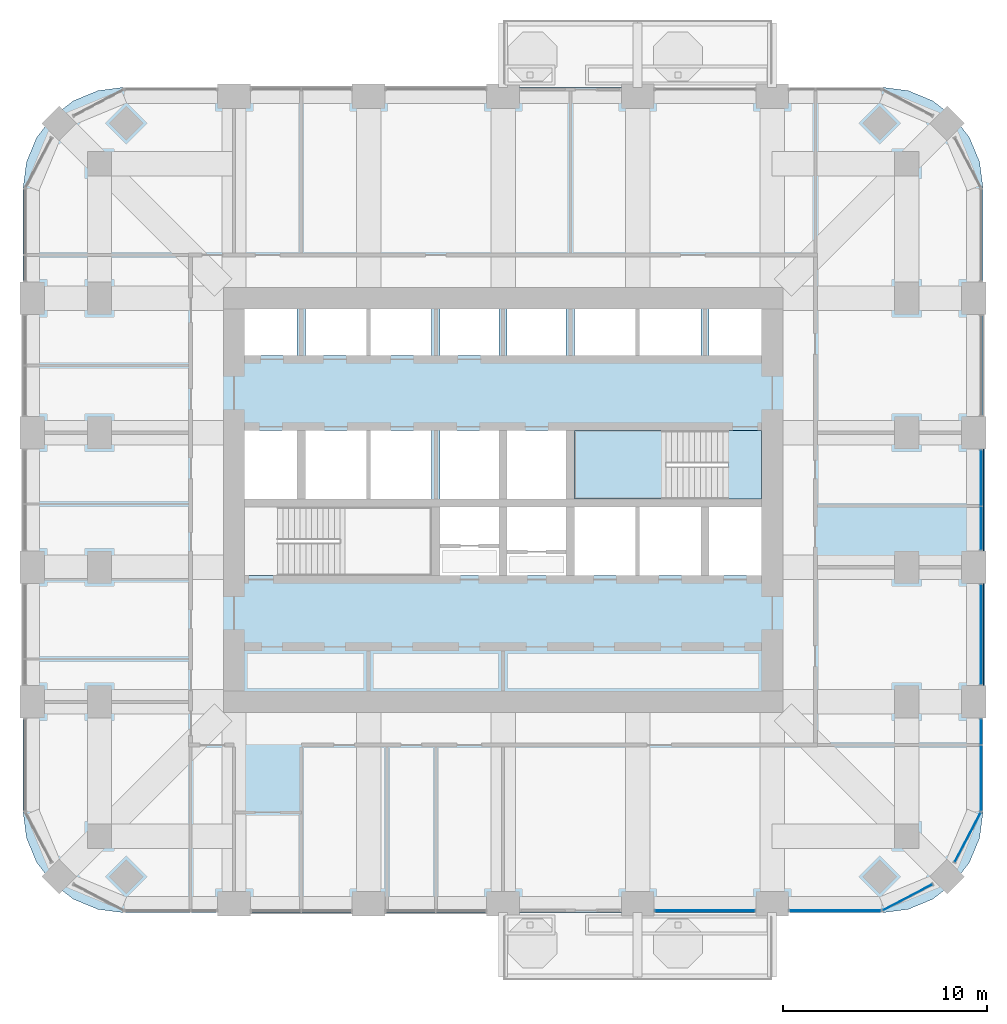
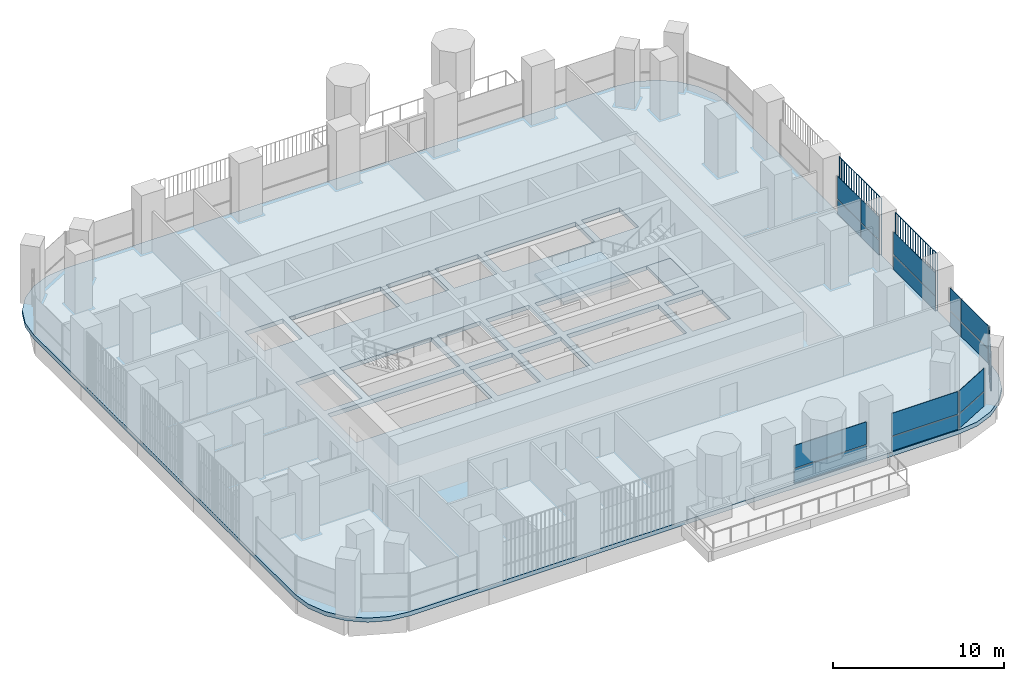
# One storey, part 10 of 19: 20 plates, 3 slabs, 8 elements without a shape of their own.
"""IFC4 building model written with IfcOpenShell, lengths in metres."""

from ifc_helpers import new_model, si_unit, direction, frame, origin, origin_2d, place, context, subcontext, project, spatial, polyline, rectangle, outline, extrude, material, layer, layer_set, type_object, element, aggregate, save


model = new_model("IFC4")

# Units and contexts
model_context = context("Model", 3, precision=1e-05, world=origin(), true_north=direction((0.0, 1.0)))
body_context = subcontext(model_context, "Body", "Model", "MODEL_VIEW")
ifc_project = project(units=[si_unit("LENGTHUNIT", "METRE"), si_unit("AREAUNIT", "SQUARE_METRE"), si_unit("VOLUMEUNIT", "CUBIC_METRE"), si_unit("PLANEANGLEUNIT", "RADIAN"), si_unit("MASSUNIT", "GRAM", prefix="KILO")], contexts=[model_context])

# Site, building, storey
site_placement = place(None, origin())
site = spatial("IfcSite", under=ifc_project, at=site_placement, CompositionType="ELEMENT")
building_placement = place(site_placement, origin())
building = spatial("IfcBuilding", under=site, at=building_placement, Name="Cobogo Forest Laboratory Tower", CompositionType="ELEMENT")
storey_placement = place(building_placement, frame((0.0, 0.0, 164.10009765625)))
storey = spatial("IfcBuildingStorey", under=building, at=storey_placement, Name="L37", CompositionType="ELEMENT", Elevation=164.10009765625)

# Slab
ifc_material_1 = material(Name="Concrete HA-40 (C40/50)", Category="concrete")
ifc_layer_1 = layer(ifc_material_1, 0.300048828125)
ifc_layer_set_1 = layer_set([ifc_layer_1], Name="Floor slab 300")
slab_type_1 = type_object("IfcSlabType", Name="Floor slab 300", PredefinedType="FLOOR", material=ifc_layer_set_1)
slab_1_placement = place(storey_placement, frame((0.0, 0.0, -0.300048828125)))
element("IfcSlab", 1, at=slab_1_placement, inside=storey, type_object=slab_type_1, Name="L37 floor slab", PredefinedType="FLOOR", context=body_context, shape_type="SweptSolid", body=[
    extrude(outline(polyline([(45.0, 2.85009765625), (46.28125, 3.0185546875), (47.47509765625, 3.51318359375), (48.500244140625, 4.2998046875), (49.286865234375, 5.324951171875), (49.78125, 6.518798828125), (49.949951171875, 7.800048828125), (49.949951171875, 38.39990234375), (49.78125, 39.68115234375), (49.286865234375, 40.875), (48.500244140625, 41.900146484375), (47.47509765625, 42.686767578125), (46.28125, 43.181396484375), (45.0, 43.35009765625), (7.800048828125, 43.35009765625), (6.518798828125, 43.181396484375), (5.324951171875, 42.686767578125), (4.2998046875, 41.900146484375), (3.51318359375, 40.875), (3.0185546875, 39.68115234375), (2.85009765625, 38.39990234375), (2.85009765625, 7.800048828125), (3.0185546875, 6.518798828125), (3.51318359375, 5.324951171875), (4.2998046875, 4.2998046875), (5.324951171875, 3.51318359375), (6.518798828125, 3.0185546875), (7.800048828125, 2.85009765625), (45.0, 2.85009765625)]), holes=[polyline([(22.89990234375, 19.39990234375), (13.72509765625, 19.39990234375), (13.72509765625, 22.75), (22.89990234375, 22.75), (22.89990234375, 19.39990234375)]), polyline([(26.199951171875, 19.39990234375), (23.300048828125, 19.39990234375), (23.300048828125, 22.75), (26.199951171875, 22.75), (26.199951171875, 19.39990234375)]), polyline([(29.5, 19.39990234375), (26.60009765625, 19.39990234375), (26.60009765625, 22.75), (29.5, 22.75), (29.5, 19.39990234375)]), polyline([(36.10009765625, 22.75), (36.10009765625, 19.39990234375), (29.89990234375, 19.39990234375), (29.89990234375, 22.75), (36.10009765625, 22.75)]), polyline([(36.5, 19.39990234375), (36.5, 22.75), (39.074951171875, 22.75), (39.074951171875, 19.39990234375), (36.5, 19.39990234375)]), polyline([(16.300048828125, 23.14990234375), (13.72509765625, 23.14990234375), (13.72509765625, 26.5), (16.300048828125, 26.5), (16.300048828125, 23.14990234375)]), polyline([(22.89990234375, 26.5), (22.89990234375, 23.14990234375), (16.699951171875, 23.14990234375), (16.699951171875, 26.5), (22.89990234375, 26.5)]), polyline([(26.199951171875, 23.14990234375), (23.300048828125, 23.14990234375), (23.300048828125, 26.5), (26.199951171875, 26.5), (26.199951171875, 23.14990234375)]), polyline([(26.60009765625, 23.14990234375), (26.60009765625, 26.5), (29.5, 26.5), (29.5, 23.14990234375), (26.60009765625, 23.14990234375)]), polyline([(39.074951171875, 23.14990234375), (29.89990234375, 23.14990234375), (29.89990234375, 26.5), (39.074951171875, 26.5), (39.074951171875, 23.14990234375)]), polyline([(16.300048828125, 30.199951171875), (13.72509765625, 30.199951171875), (13.72509765625, 32.47509765625), (16.300048828125, 32.47509765625), (16.300048828125, 30.199951171875)]), polyline([(22.89990234375, 32.47509765625), (22.89990234375, 30.199951171875), (16.699951171875, 30.199951171875), (16.699951171875, 32.47509765625), (22.89990234375, 32.47509765625)]), polyline([(23.300048828125, 30.199951171875), (23.300048828125, 32.47509765625), (26.199951171875, 32.47509765625), (26.199951171875, 30.199951171875), (23.300048828125, 30.199951171875)]), polyline([(29.5, 30.199951171875), (26.60009765625, 30.199951171875), (26.60009765625, 32.47509765625), (29.5, 32.47509765625), (29.5, 30.199951171875)]), polyline([(36.10009765625, 32.47509765625), (36.10009765625, 30.199951171875), (29.89990234375, 30.199951171875), (29.89990234375, 32.47509765625), (36.10009765625, 32.47509765625)]), polyline([(36.5, 30.199951171875), (36.5, 32.47509765625), (39.074951171875, 32.47509765625), (39.074951171875, 30.199951171875), (36.5, 30.199951171875)])]), origin(), (0.0, 0.0, 1.0), 0.300048828125),
])

# Curtain wall, plates
ifc_material_2 = material(Name="Aluminium curtain wall", Category="aluminium")
curtain_wall_type = type_object("IfcCurtainWallType", Name="CW-2 unitised curtain wall, solar control glazing, laboratory floors zones C and D", PredefinedType="USERDEFINED", material=ifc_material_2)
curtain_wall_1_placement = place(storey_placement, origin())
curtain_wall_1 = element("IfcCurtainWall", 2, at=curtain_wall_1_placement, inside=storey, type_object=curtain_wall_type, Name="Curtain wall 05 L37", ObjectType="UNITISED CURTAIN WALL", PredefinedType="USERDEFINED")
ifc_material_3 = material(Name="Solar control insulated glass", Category="glass")
ifc_layer_2 = layer(ifc_material_3, 0.031982421875)
ifc_layer_set_2 = layer_set([ifc_layer_2], Name="GP-2 solar control glass unit 32")
plate_type_1 = type_object("IfcPlateType", Name="GP-2 solar control glass unit 32", PredefinedType="CURTAIN_PANEL", material=ifc_layer_set_2)
plate_1_placement = place(storey_placement, frame((36.300048828125, 2.949951171875, 0.0), z_axis=(0.0, 0.0, 1.0), x_axis=(1.0, 0.0, 0.0)))
plate_1 = element("IfcPlate", 3, at=plate_1_placement, type_object=plate_type_1, Name="CW-2 panel 1.1", PredefinedType="CURTAIN_PANEL", context=body_context, shape_type="SweptSolid", body=[
    extrude(rectangle(XDim=4.8798828125, YDim=0.031982421875, at=origin_2d()), origin(), (0.0, 0.0, 1.0), 1.02001953125),
])
plate_2_placement = place(storey_placement, frame((36.300048828125, 2.949951171875, 1.079833984375), z_axis=(0.0, 0.0, 1.0), x_axis=(1.0, 0.0, 0.0)))
plate_2 = element("IfcPlate", 4, at=plate_2_placement, type_object=plate_type_1, Name="CW-2 panel 1.2", PredefinedType="CURTAIN_PANEL", context=body_context, shape_type="SweptSolid", body=[
    extrude(rectangle(XDim=4.8798828125, YDim=0.031982421875, at=origin_2d()), origin(), (0.0, 0.0, 1.0), 1.6201171875),
])
aggregate(curtain_wall_1, [plate_1, plate_2])

curtain_wall_2_placement = place(storey_placement, origin())
curtain_wall_2 = element("IfcCurtainWall", 5, at=curtain_wall_2_placement, inside=storey, type_object=curtain_wall_type, Name="Curtain wall 06 L37", ObjectType="UNITISED CURTAIN WALL", PredefinedType="USERDEFINED")
plate_3_placement = place(storey_placement, frame((42.699951171875, 2.949951171875, 0.0), z_axis=(0.0, 0.0, 1.0), x_axis=(1.0, 0.0, 0.0)))
plate_3 = element("IfcPlate", 6, at=plate_3_placement, type_object=plate_type_1, Name="CW-2 panel 1.1", PredefinedType="CURTAIN_PANEL", context=body_context, shape_type="SweptSolid", body=[
    extrude(rectangle(XDim=4.47998046875, YDim=0.031982421875, at=origin_2d()), origin(), (0.0, 0.0, 1.0), 1.02001953125),
])
plate_4_placement = place(storey_placement, frame((42.699951171875, 2.949951171875, 1.079833984375), z_axis=(0.0, 0.0, 1.0), x_axis=(1.0, 0.0, 0.0)))
plate_4 = element("IfcPlate", 7, at=plate_4_placement, type_object=plate_type_1, Name="CW-2 panel 1.2", PredefinedType="CURTAIN_PANEL", context=body_context, shape_type="SweptSolid", body=[
    extrude(rectangle(XDim=4.47998046875, YDim=0.031982421875, at=origin_2d()), origin(), (0.0, 0.0, 1.0), 1.6201171875),
])
aggregate(curtain_wall_2, [plate_3, plate_4])

curtain_wall_3_placement = place(storey_placement, origin())
curtain_wall_3 = element("IfcCurtainWall", 8, at=curtain_wall_3_placement, inside=storey, type_object=curtain_wall_type, Name="Curtain wall 07 L37", ObjectType="UNITISED CURTAIN WALL", PredefinedType="USERDEFINED")
plate_5_placement = place(storey_placement, frame((46.25244140625, 3.6064453125, 0.0), z_axis=(0.0, 0.0, 1.0), x_axis=(0.885686477022, 0.464283818822, 0.0)))
plate_5 = element("IfcPlate", 9, at=plate_5_placement, type_object=plate_type_1, Name="CW-2 panel 1.1", PredefinedType="CURTAIN_PANEL", context=body_context, shape_type="SweptSolid", body=[
    extrude(rectangle(XDim=2.7080078125, YDim=0.031982421875, at=origin_2d()), origin(), (0.0, 0.0, 1.0), 1.02001953125),
])
plate_6_placement = place(storey_placement, frame((46.25244140625, 3.6064453125, 1.079833984375), z_axis=(0.0, 0.0, 1.0), x_axis=(0.885686477022, 0.464283818822, 0.0)))
plate_6 = element("IfcPlate", 10, at=plate_6_placement, type_object=plate_type_1, Name="CW-2 panel 1.2", PredefinedType="CURTAIN_PANEL", context=body_context, shape_type="SweptSolid", body=[
    extrude(rectangle(XDim=2.7080078125, YDim=0.031982421875, at=origin_2d()), origin(), (0.0, 0.0, 1.0), 1.6201171875),
])
aggregate(curtain_wall_3, [plate_5, plate_6])

curtain_wall_4_placement = place(storey_placement, origin())
curtain_wall_4 = element("IfcCurtainWall", 11, at=curtain_wall_4_placement, inside=storey, type_object=curtain_wall_type, Name="Curtain wall 08 L37", ObjectType="UNITISED CURTAIN WALL", PredefinedType="USERDEFINED")
plate_7_placement = place(storey_placement, frame((49.193603515625, 6.547607421875, 0.0), z_axis=(0.0, 0.0, 1.0), x_axis=(0.464283818822, 0.885686477022, 0.0)))
plate_7 = element("IfcPlate", 12, at=plate_7_placement, type_object=plate_type_1, Name="CW-2 panel 1.1", PredefinedType="CURTAIN_PANEL", context=body_context, shape_type="SweptSolid", body=[
    extrude(rectangle(XDim=2.7080078125, YDim=0.031982421875, at=origin_2d()), origin(), (0.0, 0.0, 1.0), 1.02001953125),
])
plate_8_placement = place(storey_placement, frame((49.193603515625, 6.547607421875, 1.079833984375), z_axis=(0.0, 0.0, 1.0), x_axis=(0.464283818822, 0.885686477022, 0.0)))
plate_8 = element("IfcPlate", 13, at=plate_8_placement, type_object=plate_type_1, Name="CW-2 panel 1.2", PredefinedType="CURTAIN_PANEL", context=body_context, shape_type="SweptSolid", body=[
    extrude(rectangle(XDim=2.7080078125, YDim=0.031982421875, at=origin_2d()), origin(), (0.0, 0.0, 1.0), 1.6201171875),
])
aggregate(curtain_wall_4, [plate_7, plate_8])

curtain_wall_5_placement = place(storey_placement, origin())
curtain_wall_5 = element("IfcCurtainWall", 14, at=curtain_wall_5_placement, inside=storey, type_object=curtain_wall_type, Name="Curtain wall 09 L37", ObjectType="UNITISED CURTAIN WALL", PredefinedType="USERDEFINED")
plate_9_placement = place(storey_placement, frame((49.85009765625, 9.452392578125, 0.0), z_axis=(0.0, 0.0, 1.0), x_axis=(0.0, 1.0, 0.0)))
plate_9 = element("IfcPlate", 15, at=plate_9_placement, type_object=plate_type_1, Name="CW-2 panel 1.1", PredefinedType="CURTAIN_PANEL", context=body_context, shape_type="SweptSolid", body=[
    extrude(rectangle(XDim=3.18505859375, YDim=0.031982421875, at=origin_2d()), origin(), (0.0, 0.0, 1.0), 1.02001953125),
])
plate_10_placement = place(storey_placement, frame((49.85009765625, 9.452392578125, 1.079833984375), z_axis=(0.0, 0.0, 1.0), x_axis=(0.0, 1.0, 0.0)))
plate_10 = element("IfcPlate", 16, at=plate_10_placement, type_object=plate_type_1, Name="CW-2 panel 1.2", PredefinedType="CURTAIN_PANEL", context=body_context, shape_type="SweptSolid", body=[
    extrude(rectangle(XDim=3.18505859375, YDim=0.031982421875, at=origin_2d()), origin(), (0.0, 0.0, 1.0), 1.6201171875),
])
plate_11_placement = place(storey_placement, frame((49.85009765625, 11.722412109375, 0.0), z_axis=(0.0, 0.0, 1.0), x_axis=(0.0, 1.0, 0.0)))
plate_11 = element("IfcPlate", 17, at=plate_11_placement, type_object=plate_type_1, Name="CW-2 panel 2.1", PredefinedType="CURTAIN_PANEL", context=body_context, shape_type="SweptSolid", body=[
    extrude(rectangle(XDim=1.235107421875, YDim=0.031982421875, at=origin_2d()), origin(), (0.0, 0.0, 1.0), 1.02001953125),
])
plate_12_placement = place(storey_placement, frame((49.85009765625, 11.722412109375, 1.079833984375), z_axis=(0.0, 0.0, 1.0), x_axis=(0.0, 1.0, 0.0)))
plate_12 = element("IfcPlate", 18, at=plate_12_placement, type_object=plate_type_1, Name="CW-2 panel 2.2", PredefinedType="CURTAIN_PANEL", context=body_context, shape_type="SweptSolid", body=[
    extrude(rectangle(XDim=1.235107421875, YDim=0.031982421875, at=origin_2d()), origin(), (0.0, 0.0, 1.0), 1.6201171875),
])
aggregate(curtain_wall_5, [plate_9, plate_10, plate_11, plate_12])

curtain_wall_6_placement = place(storey_placement, origin())
curtain_wall_6 = element("IfcCurtainWall", 19, at=curtain_wall_6_placement, inside=storey, type_object=curtain_wall_type, Name="Curtain wall 10 L37", ObjectType="UNITISED CURTAIN WALL", PredefinedType="USERDEFINED")
plate_13_placement = place(storey_placement, frame((49.85009765625, 16.5, 0.0), z_axis=(0.0, 0.0, 1.0), x_axis=(0.0, 1.0, 0.0)))
plate_13 = element("IfcPlate", 20, at=plate_13_placement, type_object=plate_type_1, Name="CW-2 panel 1.1", PredefinedType="CURTAIN_PANEL", context=body_context, shape_type="SweptSolid", body=[
    extrude(rectangle(XDim=4.8798828125, YDim=0.031982421875, at=origin_2d()), origin(), (0.0, 0.0, 1.0), 1.02001953125),
])
plate_14_placement = place(storey_placement, frame((49.85009765625, 16.5, 1.079833984375), z_axis=(0.0, 0.0, 1.0), x_axis=(0.0, 1.0, 0.0)))
plate_14 = element("IfcPlate", 21, at=plate_14_placement, type_object=plate_type_1, Name="CW-2 panel 1.2", PredefinedType="CURTAIN_PANEL", context=body_context, shape_type="SweptSolid", body=[
    extrude(rectangle(XDim=4.8798828125, YDim=0.031982421875, at=origin_2d()), origin(), (0.0, 0.0, 1.0), 1.6201171875),
])
aggregate(curtain_wall_6, [plate_13, plate_14])

curtain_wall_7_placement = place(storey_placement, origin())
curtain_wall_7 = element("IfcCurtainWall", 22, at=curtain_wall_7_placement, inside=storey, type_object=curtain_wall_type, Name="Curtain wall 11 L37", ObjectType="UNITISED CURTAIN WALL", PredefinedType="USERDEFINED")
plate_15_placement = place(storey_placement, frame((49.85009765625, 21.715087890625, 0.0), z_axis=(0.0, 0.0, 1.0), x_axis=(0.0, 1.0, 0.0)))
plate_15 = element("IfcPlate", 23, at=plate_15_placement, type_object=plate_type_1, Name="CW-2 panel 1.1", PredefinedType="CURTAIN_PANEL", context=body_context, shape_type="SweptSolid", body=[
    extrude(rectangle(XDim=2.110107421875, YDim=0.031982421875, at=origin_2d()), origin(), (0.0, 0.0, 1.0), 1.02001953125),
])
plate_16_placement = place(storey_placement, frame((49.85009765625, 21.715087890625, 1.079833984375), z_axis=(0.0, 0.0, 1.0), x_axis=(0.0, 1.0, 0.0)))
plate_16 = element("IfcPlate", 24, at=plate_16_placement, type_object=plate_type_1, Name="CW-2 panel 1.2", PredefinedType="CURTAIN_PANEL", context=body_context, shape_type="SweptSolid", body=[
    extrude(rectangle(XDim=2.110107421875, YDim=0.031982421875, at=origin_2d()), origin(), (0.0, 0.0, 1.0), 1.6201171875),
])
plate_17_placement = place(storey_placement, frame((49.85009765625, 24.18505859375, 0.0), z_axis=(0.0, 0.0, 1.0), x_axis=(0.0, 1.0, 0.0)))
plate_17 = element("IfcPlate", 25, at=plate_17_placement, type_object=plate_type_1, Name="CW-2 panel 2.1", PredefinedType="CURTAIN_PANEL", context=body_context, shape_type="SweptSolid", body=[
    extrude(rectangle(XDim=2.7099609375, YDim=0.031982421875, at=origin_2d()), origin(), (0.0, 0.0, 1.0), 1.02001953125),
])
plate_18_placement = place(storey_placement, frame((49.85009765625, 24.18505859375, 1.079833984375), z_axis=(0.0, 0.0, 1.0), x_axis=(0.0, 1.0, 0.0)))
plate_18 = element("IfcPlate", 26, at=plate_18_placement, type_object=plate_type_1, Name="CW-2 panel 2.2", PredefinedType="CURTAIN_PANEL", context=body_context, shape_type="SweptSolid", body=[
    extrude(rectangle(XDim=2.7099609375, YDim=0.031982421875, at=origin_2d()), origin(), (0.0, 0.0, 1.0), 1.6201171875),
])
aggregate(curtain_wall_7, [plate_15, plate_16, plate_17, plate_18])

# Stair, slabs
ifc_material_4 = material(Name="Precast concrete HA-40 (C40/50)", Category="concrete")
stair_type = type_object("IfcStairType", Name="ST24 exit stair 24 risers", PredefinedType="HALF_TURN_STAIR", material=ifc_material_4)
stair_placement = place(storey_placement, origin())
stair = element("IfcStair", 27, at=stair_placement, inside=storey, type_object=stair_type, Name="Stair 2 L37 to L38", PredefinedType="HALF_TURN_STAIR")
ifc_layer_3 = layer(ifc_material_1, 0.199951171875)
ifc_layer_set_3 = layer_set([ifc_layer_3], Name="SL stair landing 200")
slab_type_2 = type_object("IfcSlabType", Name="SL stair landing 200", PredefinedType="LANDING", material=ifc_layer_set_3)
slab_2_placement = place(storey_placement, frame((0.0, 0.0, -0.2001953125)))
slab_2 = element("IfcSlab", 28, at=slab_2_placement, type_object=slab_type_2, Name="ST2 landing 1", PredefinedType="LANDING", context=body_context, shape_type="SweptSolid", body=[
    extrude(outline(polyline([(37.472900390625, 23.14990234375), (39.074951171875, 23.14990234375), (39.074951171875, 26.5), (37.472900390625, 26.5), (37.472900390625, 23.14990234375)])), origin(), (0.0, 0.0, 1.0), 0.2001953125),
])
slab_3_placement = place(storey_placement, frame((0.0, 0.0, 1.89990234375)))
slab_3 = element("IfcSlab", 29, at=slab_3_placement, type_object=slab_type_2, Name="ST2 landing 2", PredefinedType="LANDING", context=body_context, shape_type="SweptSolid", body=[
    extrude(outline(polyline([(29.89990234375, 23.14990234375), (34.39697265625, 23.14990234375), (34.39697265625, 26.5), (29.89990234375, 26.5), (29.89990234375, 23.14990234375)])), origin(), (0.0, 0.0, 1.0), 0.199951171875),
])
aggregate(stair, [slab_2, slab_3])

# Plates
ifc_material_5 = material(Name="Terracotta", Category="masonry")
plate_type_2 = type_object("IfcPlateType", Name="TB1 terracotta baguette screen", PredefinedType="USERDEFINED", material=ifc_material_5)
plate_19_placement = place(storey_placement, frame((49.977783203125, 14.03125, -0.150146484375)))
element("IfcPlate", 30, at=plate_19_placement, inside=storey, type_object=plate_type_2, Name="Baguette screen E1 L37", ObjectType="BAGUETTE SCREEN", PredefinedType="USERDEFINED", context=body_context, shape_type="SweptSolid", body=[
    extrude(outline(polyline([(0.02880859375, 0.011962890625), (0.011962890625, 0.02880859375), (-0.011962890625, 0.02880859375), (-0.02880859375, 0.011962890625), (-0.02880859375, -0.011962890625), (-0.011962890625, -0.02880859375), (0.011962890625, -0.02880859375), (0.02880859375, -0.011962890625), (0.02880859375, 0.011962890625)])), frame((0.0, 0.0, 4.168701171875), z_axis=(0.0, 1.0, 0.0), x_axis=(-1.0, 0.0, 0.0)), (0.0, 0.0, 1.0), 4.9375),
    extrude(outline(polyline([(0.02880859375, 0.011962890625), (0.011962890625, 0.02880859375), (-0.011962890625, 0.02880859375), (-0.02880859375, 0.011962890625), (-0.02880859375, -0.011962890625), (-0.011962890625, -0.02880859375), (0.011962890625, -0.02880859375), (0.02880859375, -0.011962890625), (0.02880859375, 0.011962890625)])), origin(), (0.0, 0.0, 1.0), 4.137451171875),
    extrude(outline(polyline([(0.02880859375, 0.011962890625), (0.011962890625, 0.02880859375), (-0.011962890625, 0.02880859375), (-0.02880859375, 0.011962890625), (-0.02880859375, -0.011962890625), (-0.011962890625, -0.02880859375), (0.011962890625, -0.02880859375), (0.02880859375, -0.011962890625), (0.02880859375, 0.011962890625)])), frame((0.0, 0.29052734375, 0.0)), (0.0, 0.0, 1.0), 4.137451171875),
    extrude(outline(polyline([(0.02880859375, 0.011962890625), (0.011962890625, 0.02880859375), (-0.011962890625, 0.02880859375), (-0.02880859375, 0.011962890625), (-0.02880859375, -0.011962890625), (-0.011962890625, -0.02880859375), (0.011962890625, -0.02880859375), (0.02880859375, -0.011962890625), (0.02880859375, 0.011962890625)])), frame((0.0, 0.580810546875, 0.0)), (0.0, 0.0, 1.0), 4.137451171875),
    extrude(outline(polyline([(0.02880859375, 0.011962890625), (0.011962890625, 0.02880859375), (-0.011962890625, 0.02880859375), (-0.02880859375, 0.011962890625), (-0.02880859375, -0.011962890625), (-0.011962890625, -0.02880859375), (0.011962890625, -0.02880859375), (0.02880859375, -0.011962890625), (0.02880859375, 0.011962890625)])), frame((0.0, 0.871337890625, 0.0)), (0.0, 0.0, 1.0), 4.137451171875),
    extrude(outline(polyline([(0.02880859375, 0.011962890625), (0.011962890625, 0.02880859375), (-0.011962890625, 0.02880859375), (-0.02880859375, 0.011962890625), (-0.02880859375, -0.011962890625), (-0.011962890625, -0.02880859375), (0.011962890625, -0.02880859375), (0.02880859375, -0.011962890625), (0.02880859375, 0.011962890625)])), frame((0.0, 1.161865234375, 0.0)), (0.0, 0.0, 1.0), 4.137451171875),
    extrude(outline(polyline([(0.02880859375, 0.011962890625), (0.011962890625, 0.02880859375), (-0.011962890625, 0.02880859375), (-0.02880859375, 0.011962890625), (-0.02880859375, -0.011962890625), (-0.011962890625, -0.02880859375), (0.011962890625, -0.02880859375), (0.02880859375, -0.011962890625), (0.02880859375, 0.011962890625)])), frame((0.0, 1.4521484375, 0.0)), (0.0, 0.0, 1.0), 4.137451171875),
    extrude(outline(polyline([(0.02880859375, 0.011962890625), (0.011962890625, 0.02880859375), (-0.011962890625, 0.02880859375), (-0.02880859375, 0.011962890625), (-0.02880859375, -0.011962890625), (-0.011962890625, -0.02880859375), (0.011962890625, -0.02880859375), (0.02880859375, -0.011962890625), (0.02880859375, 0.011962890625)])), frame((0.0, 1.74267578125, 0.0)), (0.0, 0.0, 1.0), 4.137451171875),
    extrude(outline(polyline([(0.02880859375, 0.011962890625), (0.011962890625, 0.02880859375), (-0.011962890625, 0.02880859375), (-0.02880859375, 0.011962890625), (-0.02880859375, -0.011962890625), (-0.011962890625, -0.02880859375), (0.011962890625, -0.02880859375), (0.02880859375, -0.011962890625), (0.02880859375, 0.011962890625)])), frame((0.0, 2.033203125, 0.0)), (0.0, 0.0, 1.0), 4.137451171875),
    extrude(outline(polyline([(0.02880859375, 0.011962890625), (0.011962890625, 0.02880859375), (-0.011962890625, 0.02880859375), (-0.02880859375, 0.011962890625), (-0.02880859375, -0.011962890625), (-0.011962890625, -0.02880859375), (0.011962890625, -0.02880859375), (0.02880859375, -0.011962890625), (0.02880859375, 0.011962890625)])), frame((0.0, 2.323486328125, 0.0)), (0.0, 0.0, 1.0), 4.137451171875),
    extrude(outline(polyline([(0.02880859375, 0.011962890625), (0.011962890625, 0.02880859375), (-0.011962890625, 0.02880859375), (-0.02880859375, 0.011962890625), (-0.02880859375, -0.011962890625), (-0.011962890625, -0.02880859375), (0.011962890625, -0.02880859375), (0.02880859375, -0.011962890625), (0.02880859375, 0.011962890625)])), frame((0.0, 2.614013671875, 0.0)), (0.0, 0.0, 1.0), 4.137451171875),
    extrude(outline(polyline([(0.02880859375, 0.011962890625), (0.011962890625, 0.02880859375), (-0.011962890625, 0.02880859375), (-0.02880859375, 0.011962890625), (-0.02880859375, -0.011962890625), (-0.011962890625, -0.02880859375), (0.011962890625, -0.02880859375), (0.02880859375, -0.011962890625), (0.02880859375, 0.011962890625)])), frame((0.0, 2.904296875, 0.0)), (0.0, 0.0, 1.0), 4.137451171875),
    extrude(outline(polyline([(0.02880859375, 0.011962890625), (0.011962890625, 0.02880859375), (-0.011962890625, 0.02880859375), (-0.02880859375, 0.011962890625), (-0.02880859375, -0.011962890625), (-0.011962890625, -0.02880859375), (0.011962890625, -0.02880859375), (0.02880859375, -0.011962890625), (0.02880859375, 0.011962890625)])), frame((0.0, 3.19482421875, 0.0)), (0.0, 0.0, 1.0), 4.137451171875),
    extrude(outline(polyline([(0.02880859375, 0.011962890625), (0.011962890625, 0.02880859375), (-0.011962890625, 0.02880859375), (-0.02880859375, 0.011962890625), (-0.02880859375, -0.011962890625), (-0.011962890625, -0.02880859375), (0.011962890625, -0.02880859375), (0.02880859375, -0.011962890625), (0.02880859375, 0.011962890625)])), frame((0.0, 3.4853515625, 0.0)), (0.0, 0.0, 1.0), 4.137451171875),
    extrude(outline(polyline([(0.02880859375, 0.011962890625), (0.011962890625, 0.02880859375), (-0.011962890625, 0.02880859375), (-0.02880859375, 0.011962890625), (-0.02880859375, -0.011962890625), (-0.011962890625, -0.02880859375), (0.011962890625, -0.02880859375), (0.02880859375, -0.011962890625), (0.02880859375, 0.011962890625)])), frame((0.0, 3.775634765625, 0.0)), (0.0, 0.0, 1.0), 4.137451171875),
    extrude(outline(polyline([(0.02880859375, 0.011962890625), (0.011962890625, 0.02880859375), (-0.011962890625, 0.02880859375), (-0.02880859375, 0.011962890625), (-0.02880859375, -0.011962890625), (-0.011962890625, -0.02880859375), (0.011962890625, -0.02880859375), (0.02880859375, -0.011962890625), (0.02880859375, 0.011962890625)])), frame((0.0, 4.066162109375, 0.0)), (0.0, 0.0, 1.0), 4.137451171875),
    extrude(outline(polyline([(0.02880859375, 0.011962890625), (0.011962890625, 0.02880859375), (-0.011962890625, 0.02880859375), (-0.02880859375, 0.011962890625), (-0.02880859375, -0.011962890625), (-0.011962890625, -0.02880859375), (0.011962890625, -0.02880859375), (0.02880859375, -0.011962890625), (0.02880859375, 0.011962890625)])), frame((0.0, 4.356689453125, 0.0)), (0.0, 0.0, 1.0), 4.137451171875),
    extrude(outline(polyline([(0.02880859375, 0.011962890625), (0.011962890625, 0.02880859375), (-0.011962890625, 0.02880859375), (-0.02880859375, 0.011962890625), (-0.02880859375, -0.011962890625), (-0.011962890625, -0.02880859375), (0.011962890625, -0.02880859375), (0.02880859375, -0.011962890625), (0.02880859375, 0.011962890625)])), frame((0.0, 4.64697265625, 0.0)), (0.0, 0.0, 1.0), 4.137451171875),
    extrude(outline(polyline([(0.02880859375, 0.011962890625), (0.011962890625, 0.02880859375), (-0.011962890625, 0.02880859375), (-0.02880859375, 0.011962890625), (-0.02880859375, -0.011962890625), (-0.011962890625, -0.02880859375), (0.011962890625, -0.02880859375), (0.02880859375, -0.011962890625), (0.02880859375, 0.011962890625)])), frame((0.0, 4.9375, 0.0)), (0.0, 0.0, 1.0), 4.137451171875),
])
plate_20_placement = place(storey_placement, frame((49.977783203125, 20.63134765625, -0.150146484375)))
element("IfcPlate", 31, at=plate_20_placement, inside=storey, type_object=plate_type_2, Name="Baguette screen E2 L37", ObjectType="BAGUETTE SCREEN", PredefinedType="USERDEFINED", context=body_context, shape_type="SweptSolid", body=[
    extrude(outline(polyline([(0.02880859375, 0.011962890625), (0.011962890625, 0.02880859375), (-0.011962890625, 0.02880859375), (-0.02880859375, 0.011962890625), (-0.02880859375, -0.011962890625), (-0.011962890625, -0.02880859375), (0.011962890625, -0.02880859375), (0.02880859375, -0.011962890625), (0.02880859375, 0.011962890625)])), frame((0.0, 0.0, 4.168701171875), z_axis=(0.0, 1.0, 0.0), x_axis=(-1.0, 0.0, 0.0)), (0.0, 0.0, 1.0), 4.9375),
    extrude(outline(polyline([(0.02880859375, 0.011962890625), (0.011962890625, 0.02880859375), (-0.011962890625, 0.02880859375), (-0.02880859375, 0.011962890625), (-0.02880859375, -0.011962890625), (-0.011962890625, -0.02880859375), (0.011962890625, -0.02880859375), (0.02880859375, -0.011962890625), (0.02880859375, 0.011962890625)])), origin(), (0.0, 0.0, 1.0), 4.137451171875),
    extrude(outline(polyline([(0.02880859375, 0.011962890625), (0.011962890625, 0.02880859375), (-0.011962890625, 0.02880859375), (-0.02880859375, 0.011962890625), (-0.02880859375, -0.011962890625), (-0.011962890625, -0.02880859375), (0.011962890625, -0.02880859375), (0.02880859375, -0.011962890625), (0.02880859375, 0.011962890625)])), frame((0.0, 0.29052734375, 0.0)), (0.0, 0.0, 1.0), 4.137451171875),
    extrude(outline(polyline([(0.02880859375, 0.011962890625), (0.011962890625, 0.02880859375), (-0.011962890625, 0.02880859375), (-0.02880859375, 0.011962890625), (-0.02880859375, -0.011962890625), (-0.011962890625, -0.02880859375), (0.011962890625, -0.02880859375), (0.02880859375, -0.011962890625), (0.02880859375, 0.011962890625)])), frame((0.0, 0.580810546875, 0.0)), (0.0, 0.0, 1.0), 4.137451171875),
    extrude(outline(polyline([(0.02880859375, 0.011962890625), (0.011962890625, 0.02880859375), (-0.011962890625, 0.02880859375), (-0.02880859375, 0.011962890625), (-0.02880859375, -0.011962890625), (-0.011962890625, -0.02880859375), (0.011962890625, -0.02880859375), (0.02880859375, -0.011962890625), (0.02880859375, 0.011962890625)])), frame((0.0, 0.871337890625, 0.0)), (0.0, 0.0, 1.0), 4.137451171875),
    extrude(outline(polyline([(0.02880859375, 0.011962890625), (0.011962890625, 0.02880859375), (-0.011962890625, 0.02880859375), (-0.02880859375, 0.011962890625), (-0.02880859375, -0.011962890625), (-0.011962890625, -0.02880859375), (0.011962890625, -0.02880859375), (0.02880859375, -0.011962890625), (0.02880859375, 0.011962890625)])), frame((0.0, 1.161865234375, 0.0)), (0.0, 0.0, 1.0), 4.137451171875),
    extrude(outline(polyline([(0.02880859375, 0.011962890625), (0.011962890625, 0.02880859375), (-0.011962890625, 0.02880859375), (-0.02880859375, 0.011962890625), (-0.02880859375, -0.011962890625), (-0.011962890625, -0.02880859375), (0.011962890625, -0.02880859375), (0.02880859375, -0.011962890625), (0.02880859375, 0.011962890625)])), frame((0.0, 1.4521484375, 0.0)), (0.0, 0.0, 1.0), 4.137451171875),
    extrude(outline(polyline([(0.02880859375, 0.011962890625), (0.011962890625, 0.02880859375), (-0.011962890625, 0.02880859375), (-0.02880859375, 0.011962890625), (-0.02880859375, -0.011962890625), (-0.011962890625, -0.02880859375), (0.011962890625, -0.02880859375), (0.02880859375, -0.011962890625), (0.02880859375, 0.011962890625)])), frame((0.0, 1.74267578125, 0.0)), (0.0, 0.0, 1.0), 4.137451171875),
    extrude(outline(polyline([(0.02880859375, 0.011962890625), (0.011962890625, 0.02880859375), (-0.011962890625, 0.02880859375), (-0.02880859375, 0.011962890625), (-0.02880859375, -0.011962890625), (-0.011962890625, -0.02880859375), (0.011962890625, -0.02880859375), (0.02880859375, -0.011962890625), (0.02880859375, 0.011962890625)])), frame((0.0, 2.033203125, 0.0)), (0.0, 0.0, 1.0), 4.137451171875),
    extrude(outline(polyline([(0.02880859375, 0.011962890625), (0.011962890625, 0.02880859375), (-0.011962890625, 0.02880859375), (-0.02880859375, 0.011962890625), (-0.02880859375, -0.011962890625), (-0.011962890625, -0.02880859375), (0.011962890625, -0.02880859375), (0.02880859375, -0.011962890625), (0.02880859375, 0.011962890625)])), frame((0.0, 2.323486328125, 0.0)), (0.0, 0.0, 1.0), 4.137451171875),
    extrude(outline(polyline([(0.02880859375, 0.011962890625), (0.011962890625, 0.02880859375), (-0.011962890625, 0.02880859375), (-0.02880859375, 0.011962890625), (-0.02880859375, -0.011962890625), (-0.011962890625, -0.02880859375), (0.011962890625, -0.02880859375), (0.02880859375, -0.011962890625), (0.02880859375, 0.011962890625)])), frame((0.0, 2.614013671875, 0.0)), (0.0, 0.0, 1.0), 4.137451171875),
    extrude(outline(polyline([(0.02880859375, 0.011962890625), (0.011962890625, 0.02880859375), (-0.011962890625, 0.02880859375), (-0.02880859375, 0.011962890625), (-0.02880859375, -0.011962890625), (-0.011962890625, -0.02880859375), (0.011962890625, -0.02880859375), (0.02880859375, -0.011962890625), (0.02880859375, 0.011962890625)])), frame((0.0, 2.904296875, 0.0)), (0.0, 0.0, 1.0), 4.137451171875),
    extrude(outline(polyline([(0.02880859375, 0.011962890625), (0.011962890625, 0.02880859375), (-0.011962890625, 0.02880859375), (-0.02880859375, 0.011962890625), (-0.02880859375, -0.011962890625), (-0.011962890625, -0.02880859375), (0.011962890625, -0.02880859375), (0.02880859375, -0.011962890625), (0.02880859375, 0.011962890625)])), frame((0.0, 3.19482421875, 0.0)), (0.0, 0.0, 1.0), 4.137451171875),
    extrude(outline(polyline([(0.02880859375, 0.011962890625), (0.011962890625, 0.02880859375), (-0.011962890625, 0.02880859375), (-0.02880859375, 0.011962890625), (-0.02880859375, -0.011962890625), (-0.011962890625, -0.02880859375), (0.011962890625, -0.02880859375), (0.02880859375, -0.011962890625), (0.02880859375, 0.011962890625)])), frame((0.0, 3.4853515625, 0.0)), (0.0, 0.0, 1.0), 4.137451171875),
    extrude(outline(polyline([(0.02880859375, 0.011962890625), (0.011962890625, 0.02880859375), (-0.011962890625, 0.02880859375), (-0.02880859375, 0.011962890625), (-0.02880859375, -0.011962890625), (-0.011962890625, -0.02880859375), (0.011962890625, -0.02880859375), (0.02880859375, -0.011962890625), (0.02880859375, 0.011962890625)])), frame((0.0, 3.775634765625, 0.0)), (0.0, 0.0, 1.0), 4.137451171875),
    extrude(outline(polyline([(0.02880859375, 0.011962890625), (0.011962890625, 0.02880859375), (-0.011962890625, 0.02880859375), (-0.02880859375, 0.011962890625), (-0.02880859375, -0.011962890625), (-0.011962890625, -0.02880859375), (0.011962890625, -0.02880859375), (0.02880859375, -0.011962890625), (0.02880859375, 0.011962890625)])), frame((0.0, 4.066162109375, 0.0)), (0.0, 0.0, 1.0), 4.137451171875),
    extrude(outline(polyline([(0.02880859375, 0.011962890625), (0.011962890625, 0.02880859375), (-0.011962890625, 0.02880859375), (-0.02880859375, 0.011962890625), (-0.02880859375, -0.011962890625), (-0.011962890625, -0.02880859375), (0.011962890625, -0.02880859375), (0.02880859375, -0.011962890625), (0.02880859375, 0.011962890625)])), frame((0.0, 4.356689453125, 0.0)), (0.0, 0.0, 1.0), 4.137451171875),
    extrude(outline(polyline([(0.02880859375, 0.011962890625), (0.011962890625, 0.02880859375), (-0.011962890625, 0.02880859375), (-0.02880859375, 0.011962890625), (-0.02880859375, -0.011962890625), (-0.011962890625, -0.02880859375), (0.011962890625, -0.02880859375), (0.02880859375, -0.011962890625), (0.02880859375, 0.011962890625)])), frame((0.0, 4.64697265625, 0.0)), (0.0, 0.0, 1.0), 4.137451171875),
    extrude(outline(polyline([(0.02880859375, 0.011962890625), (0.011962890625, 0.02880859375), (-0.011962890625, 0.02880859375), (-0.02880859375, 0.011962890625), (-0.02880859375, -0.011962890625), (-0.011962890625, -0.02880859375), (0.011962890625, -0.02880859375), (0.02880859375, -0.011962890625), (0.02880859375, 0.011962890625)])), frame((0.0, 4.9375, 0.0)), (0.0, 0.0, 1.0), 4.137451171875),
])

save(model, "model.ifc")
